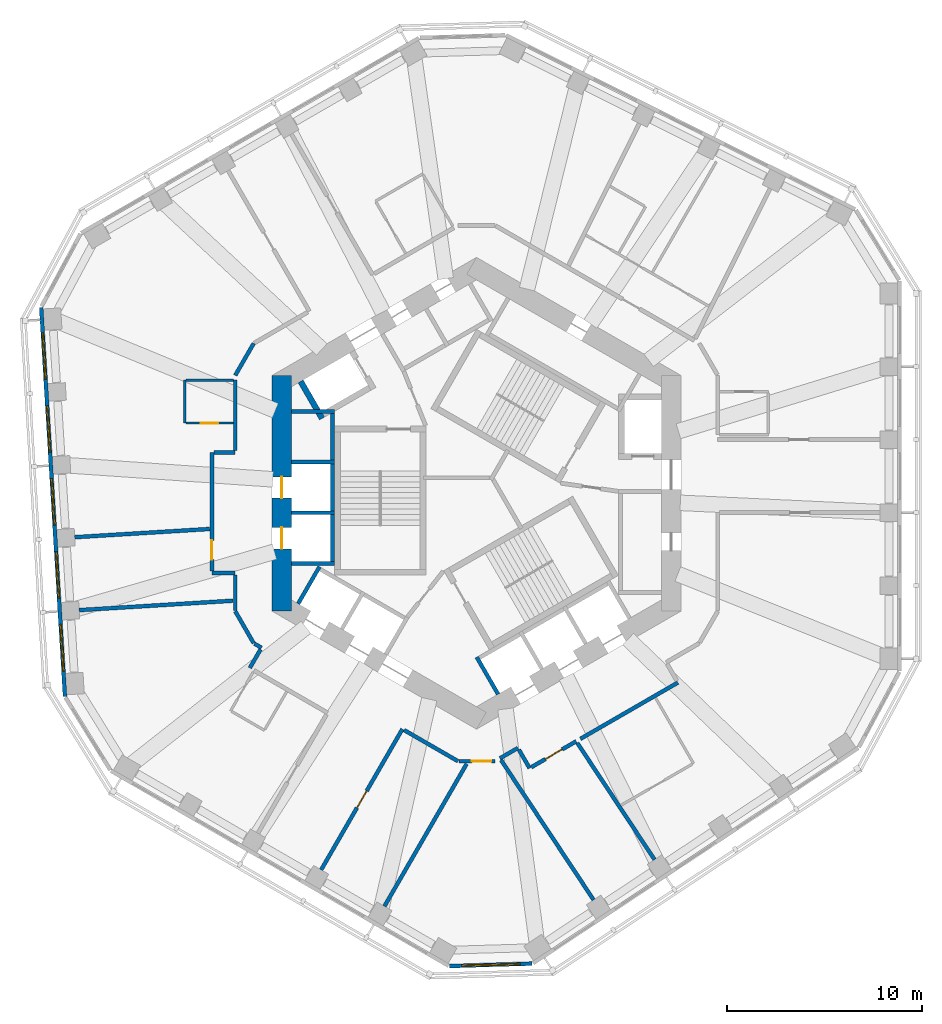
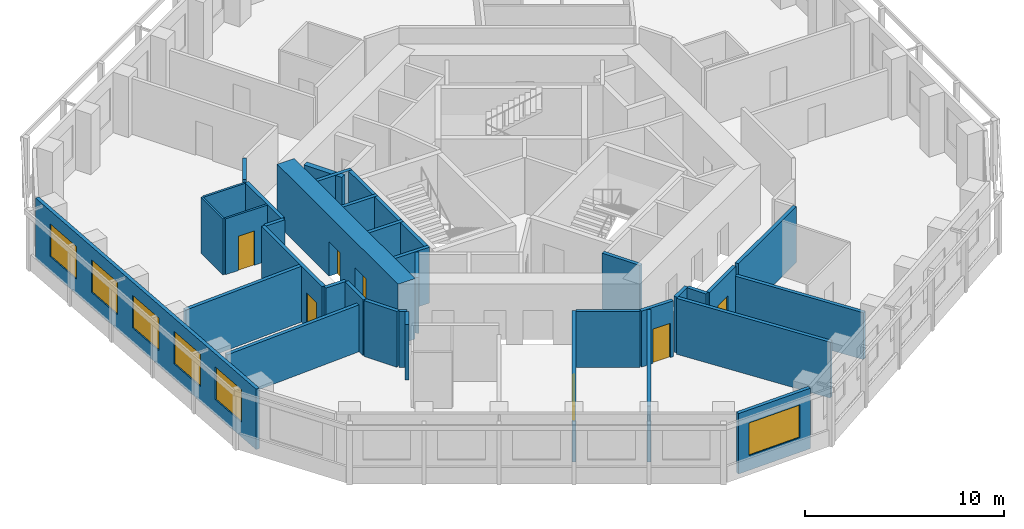
# One storey, part 4 of 11: 35 walls, 7 doors, 6 windows, 13 openings.
"""IFC4 building model written with IfcOpenShell, lengths in metres."""

import ifcopenshell
import ifcopenshell.guid

model = None  # the IFC model being written
_history = None  # IfcOwnerHistory: only IFC2X3 demands one
_inside = {}  # id of a spatial element -> (the spatial element, [elements in it])
_under = {}  # id of a project, library or spatial element -> (it, [spatial elements below it])
_declared = {}  # id of a project -> (the project, [libraries it declares])
_typed = {}  # id of a type object -> (the type object, [elements of that type])
_made_of = {}  # id of a material, layer set ... -> (it, [elements and type objects made of it])


def new_model(schema):
    """Start an empty IFC model of exactly this schema.

    Asked for "IFC4X3", IfcOpenShell would pick the latest addendum, in which some entities
    have other attributes; the version numbers below select the first issue.
    IFC2X3 requires an IfcOwnerHistory on every rooted entity: one is made here for all.
    """
    global model, _history
    if schema == "IFC4X3":
        model = ifcopenshell.file(schema_version=(4, 3, 0, 0))
    else:
        model = ifcopenshell.file(schema=schema)
    _inside.clear()
    _under.clear()
    _declared.clear()
    _typed.clear()
    _made_of.clear()
    _history = None
    if model.schema == "IFC2X3":
        org = make("IfcOrganization", Name="unknown")
        user = make(
            "IfcPersonAndOrganization",
            ThePerson=make("IfcPerson", FamilyName="unknown"),
            TheOrganization=org,
        )
        app = make(
            "IfcApplication",
            ApplicationDeveloper=org,
            Version="unknown",
            ApplicationFullName="unknown",
            ApplicationIdentifier="unknown",
        )
        _history = make(
            "IfcOwnerHistory",
            OwningUser=user,
            OwningApplication=app,
            ChangeAction="ADDED",
            CreationDate=0,
        )
    return model


def make(cls, **values):
    """One entity of the class cls with the attributes given. An attribute that is None is left unset."""
    return model.create_entity(
        cls, **{name: value for name, value in values.items() if value is not None}
    )


def rooted(cls, **values):
    """An entity with a GlobalId (a new one), such as an element, a storey or a relation."""
    return make(cls, GlobalId=ifcopenshell.guid.new(), OwnerHistory=_history, **values)


def si_unit(unit_type, name, prefix=None):
    """IfcSIUnit, for example si_unit("LENGTHUNIT", "METRE", prefix="MILLI")."""
    return make("IfcSIUnit", UnitType=unit_type, Prefix=prefix, Name=name)


def assignment(units):
    """IfcUnitAssignment: the units of a project."""
    return None if units is None else make("IfcUnitAssignment", Units=units)


def point(xyz):
    """IfcCartesianPoint."""
    return None if xyz is None else make("IfcCartesianPoint", Coordinates=xyz)


def direction(xyz):
    """IfcDirection."""
    return None if xyz is None else make("IfcDirection", DirectionRatios=xyz)


def frame(location, z_axis=None, x_axis=None):
    """IfcAxis2Placement3D, a coordinate frame: its origin and axes. An axis left out is left unset."""
    return make(
        "IfcAxis2Placement3D",
        Location=point(location),
        Axis=direction(z_axis),
        RefDirection=direction(x_axis),
    )


def frame_2d(location, x_axis=None):
    """IfcAxis2Placement2D, a coordinate frame in the plane: its origin and x axis."""
    return make(
        "IfcAxis2Placement2D", Location=point(location), RefDirection=direction(x_axis)
    )


def origin():
    """The frame at (0, 0, 0) with its axes left unset."""
    return frame((0.0, 0.0, 0.0))


def place(relative_to, where):
    """IfcLocalPlacement: puts the frame where relative to a parent placement (None: the world)."""
    return make(
        "IfcLocalPlacement", PlacementRelTo=relative_to, RelativePlacement=where
    )


def context(
    kind, dimensions, precision=None, world=None, true_north=None, identifier=None
):
    """IfcGeometricRepresentationContext, for example the 3D "Model" context."""
    return make(
        "IfcGeometricRepresentationContext",
        ContextIdentifier=identifier,
        ContextType=kind,
        CoordinateSpaceDimension=dimensions,
        Precision=precision,
        WorldCoordinateSystem=world,
        TrueNorth=true_north,
    )


def subcontext(parent, identifier, kind, view, scale=None):
    """IfcGeometricRepresentationSubContext, for example "Body" below "Model"."""
    return make(
        "IfcGeometricRepresentationSubContext",
        ContextIdentifier=identifier,
        ContextType=kind,
        ParentContext=parent,
        TargetScale=scale,
        TargetView=view,
    )


def project(units=None, contexts=None):
    """IfcProject with its units and contexts."""
    return rooted(
        "IfcProject",
        Name="project",
        RepresentationContexts=contexts,
        UnitsInContext=assignment(units),
    )


def spatial(cls, under=None, at=None, **own):
    """A site, building, storey or space (cls), placed at a placement, below another one or the project."""
    s = rooted(cls, ObjectPlacement=at, **own)
    if under is not None:
        _under.setdefault(under.id(), (under, []))[1].append(s)
    return s


def profile(cls, at=None, kind="AREA", **sizes):
    """A parametric profile (cls). Its sizes go by their IFC names, for example OverallWidth=200.0."""
    return make(cls, ProfileType=kind, Position=at, **sizes)


def rectangle(**sizes):
    """IfcRectangleProfileDef."""
    return profile("IfcRectangleProfileDef", **sizes)


def extrude(swept, where, along, depth):
    """IfcExtrudedAreaSolid: the profile swept, set in the frame where, extruded along a direction by depth."""
    return make(
        "IfcExtrudedAreaSolid",
        SweptArea=swept,
        Position=where,
        ExtrudedDirection=direction(along),
        Depth=depth,
    )


def shape(context_of_items, identifier, shape_type, items):
    """IfcShapeRepresentation: the items that make up one representation, for example the "Body"."""
    return make(
        "IfcShapeRepresentation",
        ContextOfItems=context_of_items,
        RepresentationIdentifier=identifier,
        RepresentationType=shape_type,
        Items=items,
    )


def material(Name=None, Category=None):
    """IfcMaterial."""
    return make("IfcMaterial", Name=Name, Category=Category)


def layer(
    of_material, thickness, ventilated=None, Name=None, Category=None, Priority=None
):
    """IfcMaterialLayer: one layer of a wall or slab, of a material (None: an air gap)."""
    return make(
        "IfcMaterialLayer",
        Material=of_material,
        LayerThickness=thickness,
        IsVentilated=ventilated,
        Name=Name,
        Category=Category,
        Priority=Priority,
    )


def layer_set(layers, Name=None):
    """IfcMaterialLayerSet."""
    return make("IfcMaterialLayerSet", MaterialLayers=layers, LayerSetName=Name)


def made_of(thing, what):
    """Note that an element or type object is made of a material, layer set ...; save() writes the relation."""
    if what is not None:
        _made_of.setdefault(what.id(), (what, []))[1].append(thing)
    return thing


def type_object(cls, material=None, **own):
    """A type object (cls), such as IfcWallType, which elements share."""
    return made_of(rooted(cls, **own), material)


def element(
    cls,
    number,
    at=None,
    inside=None,
    cuts=None,
    type_object=None,
    material=None,
    context=None,
    identifier="Body",
    shape_type=None,
    held_by="IfcProductDefinitionShape",
    body=None,
    shapes=None,
    **own,
):
    """One element of the class cls, such as IfcWall. Its Tag is "e" and its number.

    at: its placement. inside: the storey or other place that contains it. cuts: it is an
    opening in that element (IfcRelVoidsElement). A single representation is given by context,
    identifier, shape_type and body (its items); several are given by shapes. held_by: the class
    of the entity that holds the representations. save() writes the other relations.
    """
    e = rooted(cls, Tag="e%d" % number, ObjectPlacement=at, **own)
    if body is not None:
        shapes = [shape(context, identifier, shape_type, body)]
    if shapes is not None:
        e.Representation = make(held_by, Representations=shapes)
    if inside is not None:
        _inside.setdefault(inside.id(), (inside, []))[1].append(e)
    if cuts is not None:
        rooted(
            "IfcRelVoidsElement", RelatingBuildingElement=cuts, RelatedOpeningElement=e
        )
    if type_object is not None:
        _typed.setdefault(type_object.id(), (type_object, []))[1].append(e)
    return made_of(e, material)


def fill(opening, filler):
    """IfcRelFillsElement: the door or window that sits in an opening."""
    return rooted(
        "IfcRelFillsElement",
        RelatingOpeningElement=opening,
        RelatedBuildingElement=filler,
    )


def aggregate(whole, parts):
    """IfcRelAggregates: a whole, such as a stair, and the parts it consists of."""
    return rooted("IfcRelAggregates", RelatingObject=whole, RelatedObjects=parts)


def save(model, path):
    """Write the relations noted so far, then the file.

    IfcRelAggregates (storeys below a building ...), IfcRelContainedInSpatialStructure (elements
    in a storey), IfcRelDefinesByType, IfcRelAssociatesMaterial and IfcRelDeclares: one each for
    every whole, place, type object, material and project.
    """
    for whole, parts in _under.values():
        aggregate(whole, parts)
    for where, things in _inside.values():
        rooted(
            "IfcRelContainedInSpatialStructure",
            RelatedElements=things,
            RelatingStructure=where,
        )
    for kind, things in _typed.values():
        rooted("IfcRelDefinesByType", RelatedObjects=things, RelatingType=kind)
    for what, things in _made_of.values():
        rooted("IfcRelAssociatesMaterial", RelatedObjects=things, RelatingMaterial=what)
    for by, libraries in _declared.values():
        rooted("IfcRelDeclares", RelatingContext=by, RelatedDefinitions=libraries)
    model.write(path)


model = new_model("IFC4")

# Units and contexts
model_context = context("Model", 3, precision=1e-05, world=origin(), true_north=direction((0.0, 1.0)))
body_context = subcontext(model_context, "Body", "Model", "MODEL_VIEW")
ifc_project = project(units=[si_unit("LENGTHUNIT", "METRE"), si_unit("AREAUNIT", "SQUARE_METRE"), si_unit("VOLUMEUNIT", "CUBIC_METRE"), si_unit("PLANEANGLEUNIT", "RADIAN"), si_unit("MASSUNIT", "GRAM", prefix="KILO")], contexts=[model_context])

# Site, building, storey
site_placement = place(None, origin())
site = spatial("IfcSite", under=ifc_project, at=site_placement, CompositionType="ELEMENT")
building_placement = place(site_placement, origin())
building = spatial("IfcBuilding", under=site, at=building_placement, Name="Vanh Sen Convention Tower", CompositionType="ELEMENT")
storey_placement = place(building_placement, frame((0.0, 0.0, 179.89990234375)))
storey = spatial("IfcBuildingStorey", under=building, at=storey_placement, Name="L44", CompositionType="ELEMENT", Elevation=179.89990234375)

# Walls
ifc_material_1 = material(Name="Moisture-resistant gypsum board on steel studs", Category="steel")
ifc_layer_1 = layer(ifc_material_1, 0.1201171875)
ifc_layer_set_1 = layer_set([ifc_layer_1], Name="Moisture-resistant gypsum board on steel studs")
wall_type_1 = type_object("IfcWallType", Name="Bathroom partition 120", PredefinedType="PARTITIONING", material=ifc_layer_set_1)
wall_1_placement = place(storey_placement, frame((-15.0, 3.6123046875, 0.0), z_axis=(0.0, 0.0, 1.0), x_axis=(0.0, 1.0, 0.0)))
element("IfcWall", 1, at=wall_1_placement, inside=storey, type_object=wall_type_1, Name="Bathroom partition 120", PredefinedType="PARTITIONING", context=body_context, shape_type="SweptSolid", body=[
    extrude(rectangle(XDim=2.199951171875, YDim=0.1201171875, at=frame_2d((1.10009765625, 0.0))), origin(), (0.0, 0.0, 1.0), 3.420166015625),
])
wall_2_placement = place(storey_placement, frame((-14.93994140625, 5.812255859375, 0.0), z_axis=(0.0, 0.0, 1.0), x_axis=(1.0, 0.0, 0.0)))
element("IfcWall", 2, at=wall_2_placement, inside=storey, type_object=wall_type_1, Name="Bathroom partition 120", PredefinedType="PARTITIONING", context=body_context, shape_type="SweptSolid", body=[
    extrude(rectangle(XDim=2.43994140625, YDim=0.1201171875, at=frame_2d((1.219970703125, 0.0))), origin(), (0.0, 0.0, 1.0), 3.420166015625),
])

# Wall, opening, door
wall_3_placement = place(storey_placement, frame((-12.5, 3.6123046875, 0.0), z_axis=(0.0, 0.0, 1.0), x_axis=(-1.0, 0.0, 0.0)))
wall_3 = element("IfcWall", 3, at=wall_3_placement, inside=storey, type_object=wall_type_1, Name="Bathroom partition 120", PredefinedType="PARTITIONING", context=body_context, shape_type="SweptSolid", body=[
    extrude(rectangle(XDim=2.43994140625, YDim=0.1201171875, at=frame_2d((1.219970703125, 0.0))), origin(), (0.0, 0.0, 1.0), 3.420166015625),
])
opening_1_placement = place(wall_3_placement, frame((0.77001953125, 0.0, 0.0)))
opening_1 = element("IfcOpeningElement", 4, at=opening_1_placement, cuts=wall_3, Name="Opening D44110", PredefinedType="OPENING", context=body_context, shape_type="SweptSolid", body=[
    extrude(rectangle(XDim=0.89990234375, YDim=2.10009765625, at=frame_2d((0.449951171875, 1.050048828125))), frame((0.0, 0.070068359375, 0.0), z_axis=(0.0, -1.0, 0.0), x_axis=(1.0, 0.0, 0.0)), (0.0, 0.0, 1.0), 0.14013671875),
])
ifc_material_2 = material(Name="Laminate door in steel frame", Category="steel")
door_type_1 = type_object("IfcDoorType", Name="Room internal door 900", OperationType="SINGLE_SWING_LEFT", PredefinedType="DOOR", material=ifc_material_2)
door_1_placement = place(opening_1_placement, origin())
door_1 = element("IfcDoor", 5, at=door_1_placement, inside=storey, type_object=door_type_1, Name="Internal room door D44110", OperationType="SINGLE_SWING_LEFT", OverallHeight=2.10009765625, OverallWidth=0.89990234375, PredefinedType="DOOR", context=body_context, shape_type="SweptSolid", body=[
    extrude(rectangle(XDim=0.89990234375, YDim=2.10009765625, at=frame_2d((0.449951171875, 1.050048828125))), frame((0.0, 0.02490234375, 0.0), z_axis=(0.0, -1.0, 0.0), x_axis=(1.0, 0.0, 0.0)), (0.0, 0.0, 1.0), 0.050048828125),
])
fill(opening_1, door_1)

# Wall, openings, doors
ifc_material_3 = material(Name="Concrete C80/95", Category="concrete")
ifc_layer_2 = layer(ifc_material_3, 1.0)
ifc_layer_set_2 = layer_set([ifc_layer_2], Name="Concrete C80/95")
wall_type_2 = type_object("IfcWallType", Name="Core outer wall 1000 C80/95", PredefinedType="SHEAR", material=ifc_layer_set_2)
wall_4_placement = place(storey_placement, frame((-10.0, 6.062255859375, 0.0), z_axis=(0.0, 0.0, 1.0), x_axis=(0.0, -1.0, 0.0)))
wall_4 = element("IfcWall", 6, at=wall_4_placement, inside=storey, type_object=wall_type_2, Name="Core wall face W L44", PredefinedType="SHEAR", context=body_context, shape_type="SweptSolid", body=[
    extrude(rectangle(XDim=12.12451171875, YDim=1.0, at=frame_2d((6.062255859375, 0.0))), origin(), (0.0, 0.0, 1.0), 3.7001953125),
])
opening_2_placement = place(wall_4_placement, frame((5.212158203125, 0.0, 0.0)))
opening_2 = element("IfcOpeningElement", 7, at=opening_2_placement, cuts=wall_4, Name="Opening LD-HR1", PredefinedType="OPENING", context=body_context, shape_type="SweptSolid", body=[
    extrude(rectangle(XDim=1.10009765625, YDim=2.10009765625, at=frame_2d((0.550048828125, 1.050048828125))), frame((0.0, 0.510009765625, 0.0), z_axis=(0.0, -1.0, 0.0), x_axis=(1.0, 0.0, 0.0)), (0.0, 0.0, 1.0), 1.02001953125),
])
opening_3_placement = place(wall_4_placement, frame((7.812255859375, 0.0, 0.0)))
opening_3 = element("IfcOpeningElement", 8, at=opening_3_placement, cuts=wall_4, Name="Opening LD-HR2", PredefinedType="OPENING", context=body_context, shape_type="SweptSolid", body=[
    extrude(rectangle(XDim=1.10009765625, YDim=2.10009765625, at=frame_2d((0.550048828125, 1.050048828125))), frame((0.0, 0.510009765625, 0.0), z_axis=(0.0, -1.0, 0.0), x_axis=(1.0, 0.0, 0.0)), (0.0, 0.0, 1.0), 1.02001953125),
])
ifc_material_4 = material(Name="Stainless steel", Category="steel")
door_type_2 = type_object("IfcDoorType", Name="Lift landing door 1100", OperationType="DOUBLE_DOOR_SLIDING", PredefinedType="DOOR", material=ifc_material_4)
door_2_placement = place(opening_2_placement, origin())
door_2 = element("IfcDoor", 9, at=door_2_placement, inside=storey, type_object=door_type_2, Name="Lift HR1 landing door LD-HR1", OperationType="DOUBLE_DOOR_SLIDING", OverallHeight=2.10009765625, OverallWidth=1.10009765625, PredefinedType="DOOR", context=body_context, shape_type="SweptSolid", body=[
    extrude(rectangle(XDim=1.10009765625, YDim=2.10009765625, at=frame_2d((0.550048828125, 1.050048828125))), frame((0.0, 0.02490234375, 0.0), z_axis=(0.0, -1.0, 0.0), x_axis=(1.0, 0.0, 0.0)), (0.0, 0.0, 1.0), 0.050048828125),
])
fill(opening_2, door_2)
door_3_placement = place(opening_3_placement, origin())
door_3 = element("IfcDoor", 10, at=door_3_placement, inside=storey, type_object=door_type_2, Name="Lift HR2 landing door LD-HR2", OperationType="DOUBLE_DOOR_SLIDING", OverallHeight=2.10009765625, OverallWidth=1.10009765625, PredefinedType="DOOR", context=body_context, shape_type="SweptSolid", body=[
    extrude(rectangle(XDim=1.10009765625, YDim=2.10009765625, at=frame_2d((0.550048828125, 1.050048828125))), frame((0.0, 0.02490234375, 0.0), z_axis=(0.0, -1.0, 0.0), x_axis=(1.0, 0.0, 0.0)), (0.0, 0.0, 1.0), 0.050048828125),
])
fill(opening_3, door_3)

# Wall
ifc_material_5 = material(Name="Gypsum board on steel studs with mineral wool", Category="steel")
ifc_layer_3 = layer(ifc_material_5, 0.199951171875)
ifc_layer_set_3 = layer_set([ifc_layer_3], Name="Gypsum board on steel studs with mineral wool")
wall_type_3 = type_object("IfcWallType", Name="Corridor partition wall 200", PredefinedType="PARTITIONING", material=ifc_layer_set_3)
wall_5_placement = place(storey_placement, frame((-13.60107421875, -4.10107421875, 0.0), z_axis=(0.0, 0.0, 1.0), x_axis=(1.0, 0.0, 0.0)))
element("IfcWall", 11, at=wall_5_placement, inside=storey, type_object=wall_type_3, Name="Corridor partition wall 200", PredefinedType="PARTITIONING", context=body_context, shape_type="SweptSolid", body=[
    extrude(rectangle(XDim=1.201171875, YDim=0.199951171875, at=frame_2d((0.6005859375, 0.0))), origin(), (0.0, 0.0, 1.0), 3.420166015625),
])

# Wall, opening, door
wall_6_placement = place(storey_placement, frame((-13.60107421875, 2.10107421875, 0.0), z_axis=(0.0, 0.0, 1.0), x_axis=(0.0, -1.0, 0.0)))
wall_6 = element("IfcWall", 12, at=wall_6_placement, inside=storey, type_object=wall_type_3, Name="Corridor partition wall 200", PredefinedType="PARTITIONING", context=body_context, shape_type="SweptSolid", body=[
    extrude(rectangle(XDim=6.10205078125, YDim=0.199951171875, at=frame_2d((3.051025390625, 0.0))), origin(), (0.0, 0.0, 1.0), 3.420166015625),
])
opening_4_placement = place(wall_6_placement, frame((4.514892578125, 0.0, 0.0)))
opening_4 = element("IfcOpeningElement", 13, at=opening_4_placement, cuts=wall_6, Name="Opening D44111", PredefinedType="OPENING", context=body_context, shape_type="SweptSolid", body=[
    extrude(rectangle(XDim=1.0, YDim=2.10009765625, at=frame_2d((0.5, 1.050048828125))), frame((0.0, 0.10986328125, 0.0), z_axis=(0.0, -1.0, 0.0), x_axis=(1.0, 0.0, 0.0)), (0.0, 0.0, 1.0), 0.219970703125),
])
ifc_material_6 = material(Name="Glazed fire door in steel frame", Category="steel")
door_type_3 = type_object("IfcDoorType", Name="Tenant entrance door 1000", OperationType="SINGLE_SWING_LEFT", PredefinedType="DOOR", material=ifc_material_6)
door_4_placement = place(opening_4_placement, origin())
door_4 = element("IfcDoor", 14, at=door_4_placement, inside=storey, type_object=door_type_3, Name="Tenant suite entrance door D44111", OperationType="SINGLE_SWING_LEFT", OverallHeight=2.10009765625, OverallWidth=1.0, PredefinedType="DOOR", context=body_context, shape_type="SweptSolid", body=[
    extrude(rectangle(XDim=1.0, YDim=2.10009765625, at=frame_2d((0.5, 1.050048828125))), frame((0.0, 0.02490234375, 0.0), z_axis=(0.0, -1.0, 0.0), x_axis=(1.0, 0.0, 0.0)), (0.0, 0.0, 1.0), 0.050048828125),
])
fill(opening_4, door_4)

# Walls
wall_7_placement = place(storey_placement, frame((-12.39990234375, -6.062255859375, 0.0), z_axis=(0.0, 0.0, 1.0), x_axis=(0.500022797313, -0.86601224135, 0.0)))
element("IfcWall", 15, at=wall_7_placement, inside=storey, type_object=wall_type_3, Name="Corridor partition wall 200", PredefinedType="PARTITIONING", context=body_context, shape_type="SweptSolid", body=[
    extrude(rectangle(XDim=1.89990234375, YDim=0.199951171875, at=frame_2d((0.949951171875, 0.0))), origin(), (0.0, 0.0, 1.0), 3.420166015625),
])
wall_8_placement = place(storey_placement, frame((-12.39990234375, -4.200927734375, 0.0), z_axis=(0.0, 0.0, 1.0), x_axis=(0.0, -1.0, 0.0)))
element("IfcWall", 16, at=wall_8_placement, inside=storey, type_object=wall_type_3, Name="Corridor partition wall 200", PredefinedType="PARTITIONING", context=body_context, shape_type="SweptSolid", body=[
    extrude(rectangle(XDim=1.8212890625, YDim=0.199951171875, at=frame_2d((0.91064453125, 0.0))), origin(), (0.0, 0.0, 1.0), 3.420166015625),
])
wall_9_placement = place(storey_placement, frame((-12.39990234375, 2.10107421875, 0.0), z_axis=(0.0, 0.0, 1.0), x_axis=(-1.0, 0.0, 0.0)))
element("IfcWall", 17, at=wall_9_placement, inside=storey, type_object=wall_type_3, Name="Corridor partition wall 200", PredefinedType="PARTITIONING", context=body_context, shape_type="SweptSolid", body=[
    extrude(rectangle(XDim=1.10107421875, YDim=0.199951171875, at=frame_2d((0.550537109375, 0.0))), origin(), (0.0, 0.0, 1.0), 3.420166015625),
])
wall_10_placement = place(storey_placement, frame((-12.39990234375, 5.812255859375, 0.0), z_axis=(0.0, 0.0, 1.0), x_axis=(0.0, -1.0, 0.0)))
element("IfcWall", 18, at=wall_10_placement, inside=storey, type_object=wall_type_3, Name="Corridor partition wall 200", PredefinedType="PARTITIONING", context=body_context, shape_type="SweptSolid", body=[
    extrude(rectangle(XDim=3.611328125, YDim=0.199951171875, at=frame_2d((1.8056640625, 0.0))), origin(), (0.0, 0.0, 1.0), 3.420166015625),
])
wall_11_placement = place(storey_placement, frame((-11.449951171875, 7.70751953125, 0.0), z_axis=(0.0, 0.0, 1.0), x_axis=(-0.500022797313, -0.86601224135, 0.0)))
element("IfcWall", 19, at=wall_11_placement, inside=storey, type_object=wall_type_3, Name="Corridor partition wall 200", PredefinedType="PARTITIONING", context=body_context, shape_type="SweptSolid", body=[
    extrude(rectangle(XDim=1.89990234375, YDim=0.199951171875, at=frame_2d((0.949951171875, 0.0))), origin(), (0.0, 0.0, 1.0), 3.420166015625),
])
wall_12_placement = place(storey_placement, frame((-11.415283203125, -7.7275390625, 0.0), z_axis=(0.0, 0.0, 1.0), x_axis=(0.865915281873, -0.500190688257, 0.0)))
element("IfcWall", 20, at=wall_12_placement, inside=storey, type_object=wall_type_3, Name="Corridor partition wall 200", PredefinedType="PARTITIONING", context=body_context, shape_type="SweptSolid", body=[
    extrude(rectangle(XDim=0.421142578125, YDim=0.199951171875, at=frame_2d((0.21044921875, 0.0))), origin(), (0.0, 0.0, 1.0), 3.420166015625),
])
wall_13_placement = place(storey_placement, frame((-11.1005859375, -8.02490234375, 0.0), z_axis=(0.0, 0.0, 1.0), x_axis=(-0.500074377092, -0.865982457891, 0.0)))
element("IfcWall", 21, at=wall_13_placement, inside=storey, type_object=wall_type_3, Name="Corridor partition wall 200", PredefinedType="PARTITIONING", context=body_context, shape_type="SweptSolid", body=[
    extrude(rectangle(XDim=1.100830078125, YDim=0.199951171875, at=frame_2d((0.55029296875, 0.0))), origin(), (0.0, 0.0, 1.0), 3.420166015625),
])

# Wall, opening, door
wall_14_placement = place(storey_placement, frame((-7.983642578125, -19.3505859375, 0.0), z_axis=(0.0, 0.0, 1.0), x_axis=(0.500010139422, 0.866019549707, 0.0)))
wall_14 = element("IfcWall", 22, at=wall_14_placement, inside=storey, type_object=wall_type_3, Name="Corridor partition wall 200", PredefinedType="PARTITIONING", context=body_context, shape_type="SweptSolid", body=[
    extrude(rectangle(XDim=8.349853515625, YDim=0.199951171875, at=frame_2d((4.1748046875, 0.0))), origin(), (0.0, 0.0, 1.0), 3.420166015625),
])
opening_5_placement = place(wall_14_placement, frame((3.675048828125, 0.0, 0.0)))
opening_5 = element("IfcOpeningElement", 23, at=opening_5_placement, cuts=wall_14, Name="Opening D44114", PredefinedType="OPENING", context=body_context, shape_type="SweptSolid", body=[
    extrude(rectangle(XDim=1.0, YDim=2.10009765625, at=frame_2d((0.5, 1.050048828125))), frame((0.0, 0.10986328125, 0.0), z_axis=(0.0, -1.0, 0.0), x_axis=(1.0, 0.0, 0.0)), (0.0, 0.0, 1.0), 0.219970703125),
])
door_5_placement = place(opening_5_placement, origin())
door_5 = element("IfcDoor", 24, at=door_5_placement, inside=storey, type_object=door_type_3, Name="Tenant suite entrance door D44114", OperationType="SINGLE_SWING_LEFT", OverallHeight=2.10009765625, OverallWidth=1.0, PredefinedType="DOOR", context=body_context, shape_type="SweptSolid", body=[
    extrude(rectangle(XDim=1.0, YDim=2.10009765625, at=frame_2d((0.5, 1.050048828125))), frame((0.0, 0.02490234375, 0.0), z_axis=(0.0, -1.0, 0.0), x_axis=(1.0, 0.0, 0.0)), (0.0, 0.0, 1.0), 0.050048828125),
])
fill(opening_5, door_5)

# Wall
wall_15_placement = place(storey_placement, frame((-3.721923828125, -12.16943359375, 0.0), z_axis=(0.0, 0.0, 1.0), x_axis=(0.866033163891, -0.499986558861, 0.0)))
element("IfcWall", 25, at=wall_15_placement, inside=storey, type_object=wall_type_3, Name="Corridor partition wall 200", PredefinedType="PARTITIONING", context=body_context, shape_type="SweptSolid", body=[
    extrude(rectangle(XDim=3.20068359375, YDim=0.199951171875, at=frame_2d((1.600341796875, 0.0))), origin(), (0.0, 0.0, 1.0), 3.420166015625),
])

# Wall, opening, door
wall_16_placement = place(storey_placement, frame((-0.909912109375, -13.769775390625, 0.0), z_axis=(0.0, 0.0, 1.0), x_axis=(1.0, 0.0, 0.0)))
wall_16 = element("IfcWall", 26, at=wall_16_placement, inside=storey, type_object=wall_type_3, Name="Corridor partition wall 200", PredefinedType="PARTITIONING", context=body_context, shape_type="SweptSolid", body=[
    extrude(rectangle(XDim=1.85986328125, YDim=0.199951171875, at=frame_2d((0.929931640625, 0.0))), origin(), (0.0, 0.0, 1.0), 3.420166015625),
])
opening_6_placement = place(wall_16_placement, frame((0.671630859375, 0.0, 0.0)))
opening_6 = element("IfcOpeningElement", 27, at=opening_6_placement, cuts=wall_16, Name="Opening D44115", PredefinedType="OPENING", context=body_context, shape_type="SweptSolid", body=[
    extrude(rectangle(XDim=1.0, YDim=2.10009765625, at=frame_2d((0.5, 1.050048828125))), frame((0.0, 0.10986328125, 0.0), z_axis=(0.0, -1.0, 0.0), x_axis=(1.0, 0.0, 0.0)), (0.0, 0.0, 1.0), 0.219970703125),
])
door_6_placement = place(opening_6_placement, origin())
door_6 = element("IfcDoor", 28, at=door_6_placement, inside=storey, type_object=door_type_3, Name="Tenant suite entrance door D44115", OperationType="SINGLE_SWING_LEFT", OverallHeight=2.10009765625, OverallWidth=1.0, PredefinedType="DOOR", context=body_context, shape_type="SweptSolid", body=[
    extrude(rectangle(XDim=1.0, YDim=2.10009765625, at=frame_2d((0.5, 1.050048828125))), frame((0.0, 0.02490234375, 0.0), z_axis=(0.0, -1.0, 0.0), x_axis=(1.0, 0.0, 0.0)), (0.0, 0.0, 1.0), 0.050048828125),
])
fill(opening_6, door_6)

# Walls
wall_17_placement = place(storey_placement, frame((1.20361328125, -13.623291015625, 0.0), z_axis=(0.0, 0.0, 1.0), x_axis=(0.866040989419, 0.499973003918, 0.0)))
element("IfcWall", 29, at=wall_17_placement, inside=storey, type_object=wall_type_3, Name="Corridor partition wall 200", PredefinedType="PARTITIONING", context=body_context, shape_type="SweptSolid", body=[
    extrude(rectangle(XDim=1.068359375, YDim=0.199951171875, at=frame_2d((0.5341796875, 0.0))), origin(), (0.0, 0.0, 1.0), 3.420166015625),
])
wall_18_placement = place(storey_placement, frame((2.1787109375, -13.17578125, 0.0), z_axis=(0.0, 0.0, 1.0), x_axis=(0.499978356969, -0.866037899034, 0.0)))
element("IfcWall", 30, at=wall_18_placement, inside=storey, type_object=wall_type_3, Name="Corridor partition wall 200", PredefinedType="PARTITIONING", context=body_context, shape_type="SweptSolid", body=[
    extrude(rectangle(XDim=1.10107421875, YDim=0.199951171875, at=frame_2d((0.550537109375, 0.0))), origin(), (0.0, 0.0, 1.0), 3.420166015625),
])

# Wall, opening, door
wall_19_placement = place(storey_placement, frame((2.81591796875, -14.079345703125, 0.0), z_axis=(0.0, 0.0, 1.0), x_axis=(0.866008705299, 0.50002892151, 0.0)))
wall_19 = element("IfcWall", 31, at=wall_19_placement, inside=storey, type_object=wall_type_3, Name="Corridor partition wall 200", PredefinedType="PARTITIONING", context=body_context, shape_type="SweptSolid", body=[
    extrude(rectangle(XDim=2.666259765625, YDim=0.199951171875, at=frame_2d((1.3330078125, 0.0))), origin(), (0.0, 0.0, 1.0), 3.420166015625),
])
opening_7_placement = place(wall_19_placement, frame((0.833251953125, 0.0, 0.0)))
opening_7 = element("IfcOpeningElement", 32, at=opening_7_placement, cuts=wall_19, Name="Opening D44116", PredefinedType="OPENING", context=body_context, shape_type="SweptSolid", body=[
    extrude(rectangle(XDim=1.0, YDim=2.10009765625, at=frame_2d((0.5, 1.050048828125))), frame((0.0, 0.10986328125, 0.0), z_axis=(0.0, -1.0, 0.0), x_axis=(1.0, 0.0, 0.0)), (0.0, 0.0, 1.0), 0.219970703125),
])
door_7_placement = place(opening_7_placement, origin())
door_7 = element("IfcDoor", 33, at=door_7_placement, inside=storey, type_object=door_type_3, Name="Tenant suite entrance door D44116", OperationType="SINGLE_SWING_LEFT", OverallHeight=2.10009765625, OverallWidth=1.0, PredefinedType="DOOR", context=body_context, shape_type="SweptSolid", body=[
    extrude(rectangle(XDim=1.0, YDim=2.10009765625, at=frame_2d((0.5, 1.050048828125))), frame((0.0, 0.02490234375, 0.0), z_axis=(0.0, -1.0, 0.0), x_axis=(1.0, 0.0, 0.0)), (0.0, 0.0, 1.0), 0.050048828125),
])
fill(opening_7, door_7)

# Wall
wall_20_placement = place(storey_placement, frame((5.341552734375, -12.62109375, 0.0), z_axis=(0.0, 0.0, 1.0), x_axis=(0.866024665123, 0.500001279396, 0.0)))
element("IfcWall", 34, at=wall_20_placement, inside=storey, type_object=wall_type_3, Name="Corridor partition wall 200", PredefinedType="PARTITIONING", context=body_context, shape_type="SweptSolid", body=[
    extrude(rectangle(XDim=5.78564453125, YDim=0.199951171875, at=frame_2d((2.892822265625, 0.0))), origin(), (0.0, 0.0, 1.0), 3.420166015625),
])

# Wall, openings, windows
ifc_material_7 = material(Name="Insulated lightweight infill wall")
ifc_layer_4 = layer(ifc_material_7, 0.199951171875)
ifc_layer_set_4 = layer_set([ifc_layer_4], Name="Insulated lightweight infill wall")
wall_type_4 = type_object("IfcWallType", Name="External wall 200", PredefinedType="STANDARD", material=ifc_layer_set_4)
wall_21_placement = place(storey_placement, frame((-22.375, 9.55712890625, 0.0), z_axis=(0.0, 0.0, 1.0), x_axis=(0.061036015339, -0.998135564356, 0.0)))
wall_21 = element("IfcWall", 35, at=wall_21_placement, inside=storey, type_object=wall_type_4, Name="External wall W L44", PredefinedType="STANDARD", context=body_context, shape_type="SweptSolid", body=[
    extrude(rectangle(XDim=20.043701171875, YDim=0.199951171875, at=frame_2d((10.02197265625, 0.0))), origin(), (0.0, 0.0, 1.0), 3.7001953125),
])
opening_8_placement = place(wall_21_placement, frame((1.312744140625, 0.0, 0.89990234375)))
opening_8 = element("IfcOpeningElement", 36, at=opening_8_placement, cuts=wall_21, Name="Opening WO1-W1", PredefinedType="OPENING", context=body_context, shape_type="SweptSolid", body=[
    extrude(rectangle(XDim=2.39990234375, YDim=2.0, at=frame_2d((1.199951171875, 1.0))), frame((0.0, 0.10986328125, 0.0), z_axis=(0.0, -1.0, 0.0), x_axis=(1.0, 0.0, 0.0)), (0.0, 0.0, 1.0), 0.219970703125),
])
opening_9_placement = place(wall_21_placement, frame((5.06689453125, 0.0, 0.89990234375)))
opening_9 = element("IfcOpeningElement", 37, at=opening_9_placement, cuts=wall_21, Name="Opening WO1-W2", PredefinedType="OPENING", context=body_context, shape_type="SweptSolid", body=[
    extrude(rectangle(XDim=2.39990234375, YDim=2.0, at=frame_2d((1.199951171875, 1.0))), frame((0.0, 0.10986328125, 0.0), z_axis=(0.0, -1.0, 0.0), x_axis=(1.0, 0.0, 0.0)), (0.0, 0.0, 1.0), 0.219970703125),
])
opening_10_placement = place(wall_21_placement, frame((8.821044921875, 0.0, 0.89990234375)))
opening_10 = element("IfcOpeningElement", 38, at=opening_10_placement, cuts=wall_21, Name="Opening WO1-W3", PredefinedType="OPENING", context=body_context, shape_type="SweptSolid", body=[
    extrude(rectangle(XDim=2.39990234375, YDim=2.0, at=frame_2d((1.199951171875, 1.0))), frame((0.0, 0.10986328125, 0.0), z_axis=(0.0, -1.0, 0.0), x_axis=(1.0, 0.0, 0.0)), (0.0, 0.0, 1.0), 0.219970703125),
])
opening_11_placement = place(wall_21_placement, frame((12.5751953125, 0.0, 0.89990234375)))
opening_11 = element("IfcOpeningElement", 39, at=opening_11_placement, cuts=wall_21, Name="Opening WO1-W4", PredefinedType="OPENING", context=body_context, shape_type="SweptSolid", body=[
    extrude(rectangle(XDim=2.39990234375, YDim=2.0, at=frame_2d((1.199951171875, 1.0))), frame((0.0, 0.10986328125, 0.0), z_axis=(0.0, -1.0, 0.0), x_axis=(1.0, 0.0, 0.0)), (0.0, 0.0, 1.0), 0.219970703125),
])
opening_12_placement = place(wall_21_placement, frame((16.329345703125, 0.0, 0.89990234375)))
opening_12 = element("IfcOpeningElement", 40, at=opening_12_placement, cuts=wall_21, Name="Opening WO1-W5", PredefinedType="OPENING", context=body_context, shape_type="SweptSolid", body=[
    extrude(rectangle(XDim=2.39990234375, YDim=2.0, at=frame_2d((1.199951171875, 1.0))), frame((0.0, 0.10986328125, 0.0), z_axis=(0.0, -1.0, 0.0), x_axis=(1.0, 0.0, 0.0)), (0.0, 0.0, 1.0), 0.219970703125),
])
ifc_material_8 = material(Name="Aluminium frame with clear low-emissivity glass", Category="aluminium")
window_type_1 = type_object("IfcWindowType", Name="Office window 2400 x 2000", PartitioningType="SINGLE_PANEL", PredefinedType="WINDOW", material=ifc_material_8)
window_1_placement = place(opening_8_placement, origin())
window_1 = element("IfcWindow", 41, at=window_1_placement, inside=storey, type_object=window_type_1, Name="Window WO1-W1", OverallHeight=2.0, OverallWidth=2.39990234375, PartitioningType="SINGLE_PANEL", PredefinedType="WINDOW", context=body_context, shape_type="SweptSolid", body=[
    extrude(rectangle(XDim=2.39990234375, YDim=2.0, at=frame_2d((1.199951171875, 1.0))), frame((0.0, 0.030029296875, 0.0), z_axis=(0.0, -1.0, 0.0), x_axis=(1.0, 0.0, 0.0)), (0.0, 0.0, 1.0), 0.06005859375),
])
fill(opening_8, window_1)
window_2_placement = place(opening_9_placement, origin())
window_2 = element("IfcWindow", 42, at=window_2_placement, inside=storey, type_object=window_type_1, Name="Window WO1-W2", OverallHeight=2.0, OverallWidth=2.39990234375, PartitioningType="SINGLE_PANEL", PredefinedType="WINDOW", context=body_context, shape_type="SweptSolid", body=[
    extrude(rectangle(XDim=2.39990234375, YDim=2.0, at=frame_2d((1.199951171875, 1.0))), frame((0.0, 0.030029296875, 0.0), z_axis=(0.0, -1.0, 0.0), x_axis=(1.0, 0.0, 0.0)), (0.0, 0.0, 1.0), 0.06005859375),
])
fill(opening_9, window_2)
window_3_placement = place(opening_10_placement, origin())
window_3 = element("IfcWindow", 43, at=window_3_placement, inside=storey, type_object=window_type_1, Name="Window WO1-W3", OverallHeight=2.0, OverallWidth=2.39990234375, PartitioningType="SINGLE_PANEL", PredefinedType="WINDOW", context=body_context, shape_type="SweptSolid", body=[
    extrude(rectangle(XDim=2.39990234375, YDim=2.0, at=frame_2d((1.199951171875, 1.0))), frame((0.0, 0.030029296875, 0.0), z_axis=(0.0, -1.0, 0.0), x_axis=(1.0, 0.0, 0.0)), (0.0, 0.0, 1.0), 0.06005859375),
])
fill(opening_10, window_3)
window_4_placement = place(opening_11_placement, origin())
window_4 = element("IfcWindow", 44, at=window_4_placement, inside=storey, type_object=window_type_1, Name="Window WO1-W4", OverallHeight=2.0, OverallWidth=2.39990234375, PartitioningType="SINGLE_PANEL", PredefinedType="WINDOW", context=body_context, shape_type="SweptSolid", body=[
    extrude(rectangle(XDim=2.39990234375, YDim=2.0, at=frame_2d((1.199951171875, 1.0))), frame((0.0, 0.030029296875, 0.0), z_axis=(0.0, -1.0, 0.0), x_axis=(1.0, 0.0, 0.0)), (0.0, 0.0, 1.0), 0.06005859375),
])
fill(opening_11, window_4)
window_5_placement = place(opening_12_placement, origin())
window_5 = element("IfcWindow", 45, at=window_5_placement, inside=storey, type_object=window_type_1, Name="Window WO1-W5", OverallHeight=2.0, OverallWidth=2.39990234375, PartitioningType="SINGLE_PANEL", PredefinedType="WINDOW", context=body_context, shape_type="SweptSolid", body=[
    extrude(rectangle(XDim=2.39990234375, YDim=2.0, at=frame_2d((1.199951171875, 1.0))), frame((0.0, 0.030029296875, 0.0), z_axis=(0.0, -1.0, 0.0), x_axis=(1.0, 0.0, 0.0)), (0.0, 0.0, 1.0), 0.06005859375),
])
fill(opening_12, window_5)

# Wall, opening, window
wall_22_placement = place(storey_placement, frame((-1.377685546875, -24.302001953125, 0.0), z_axis=(0.0, 0.0, 1.0), x_axis=(0.999533857267, 0.030529791629, 0.0)))
wall_22 = element("IfcWall", 46, at=wall_22_placement, inside=storey, type_object=wall_type_4, Name="External wall CH5 L44", PredefinedType="STANDARD", context=body_context, shape_type="SweptSolid", body=[
    extrude(rectangle(XDim=4.23828125, YDim=0.199951171875, at=frame_2d((2.119140625, 0.0))), origin(), (0.0, 0.0, 1.0), 3.7001953125),
])
opening_13_placement = place(wall_22_placement, frame((0.619140625, 0.0, 0.89990234375)))
opening_13 = element("IfcOpeningElement", 47, at=opening_13_placement, cuts=wall_22, Name="Opening WO2-CH51", PredefinedType="OPENING", context=body_context, shape_type="SweptSolid", body=[
    extrude(rectangle(XDim=3.0, YDim=2.0, at=frame_2d((1.5, 1.0))), frame((0.0, 0.10986328125, 0.0), z_axis=(0.0, -1.0, 0.0), x_axis=(1.0, 0.0, 0.0)), (0.0, 0.0, 1.0), 0.219970703125),
])
window_type_2 = type_object("IfcWindowType", Name="Office window 3000 x 2000", PartitioningType="SINGLE_PANEL", PredefinedType="WINDOW", material=ifc_material_8)
window_6_placement = place(opening_13_placement, origin())
window_6 = element("IfcWindow", 48, at=window_6_placement, inside=storey, type_object=window_type_2, Name="Window WO2-CH51", OverallHeight=2.0, OverallWidth=3.0, PartitioningType="SINGLE_PANEL", PredefinedType="WINDOW", context=body_context, shape_type="SweptSolid", body=[
    extrude(rectangle(XDim=3.0, YDim=2.0, at=frame_2d((1.5, 1.0))), frame((0.0, 0.030029296875, 0.0), z_axis=(0.0, -1.0, 0.0), x_axis=(1.0, 0.0, 0.0)), (0.0, 0.0, 1.0), 0.06005859375),
])
fill(opening_13, window_6)

# Walls
ifc_material_9 = material(Name="Concrete C60/75", Category="concrete")
ifc_layer_5 = layer(ifc_material_9, 0.300048828125)
ifc_layer_set_5 = layer_set([ifc_layer_5], Name="Concrete C60/75")
wall_type_5 = type_object("IfcWallType", Name="Fire-fighting lift shaft wall 300", PredefinedType="SHEAR", material=ifc_layer_set_5)
wall_23_placement = place(storey_placement, frame((-7.936767578125, 3.846923828125, 0.0), z_axis=(0.0, 0.0, 1.0), x_axis=(-0.50002983664, 0.866008176907, 0.0)))
element("IfcWall", 49, at=wall_23_placement, inside=storey, type_object=wall_type_5, Name="Fire-fighting lift shaft wall L44", PredefinedType="SHEAR", context=body_context, shape_type="SweptSolid", body=[
    extrude(rectangle(XDim=2.199951171875, YDim=0.300048828125, at=frame_2d((1.10009765625, 0.0))), origin(), (0.0, 0.0, 1.0), 3.420166015625),
])
ifc_material_10 = material(Name="Concrete C40/50", Category="concrete")
ifc_layer_6 = layer(ifc_material_10, 0.199951171875)
ifc_layer_set_6 = layer_set([ifc_layer_6], Name="Concrete C40/50")
wall_type_6 = type_object("IfcWallType", Name="Lift shaft wall 200", PredefinedType="PARTITIONING", material=ifc_layer_set_6)
wall_24_placement = place(storey_placement, frame((-7.39990234375, 4.300048828125, 0.0), z_axis=(0.0, 0.0, 1.0), x_axis=(0.0, -1.0, 0.0)))
element("IfcWall", 50, at=wall_24_placement, inside=storey, type_object=wall_type_6, Name="Lift shaft wall L44", PredefinedType="PARTITIONING", context=body_context, shape_type="SweptSolid", body=[
    extrude(rectangle(XDim=8.0, YDim=0.199951171875, at=frame_2d((4.0, 0.0))), origin(), (0.0, 0.0, 1.0), 3.420166015625),
])
for number, where, z_axis, x_axis, name in (
    (51, (-7.300048828125, 4.199951171875, 0.0), (0.0, 0.0, 1.0), (-1.0, 0.0, 0.0), "Lift shaft wall L44"),
    (52, (-7.300048828125, 1.60009765625, 0.0), (0.0, 0.0, 1.0), (-1.0, 0.0, 0.0), "Lift shaft wall L44"),
    (53, (-7.300048828125, -1.0, 0.0), (0.0, 0.0, 1.0), (-1.0, 0.0, 0.0), "Lift shaft wall L44"),
    (54, (-7.300048828125, -3.60009765625, 0.0), (0.0, 0.0, 1.0), (-1.0, 0.0, 0.0), "Lift shaft wall L44"),
    (55, (-8.066650390625, -3.77197265625, 0.0), (0.0, 0.0, 1.0), (-0.50002983664, -0.866008176907, 0.0), "Lift shaft wall L44"),
    (56, (0.0126953125, -8.422119140625, 0.0), (0.0, 0.0, 1.0), (0.500077893725, -0.86598042715, 0.0), "Lift shaft wall L44"),
):
    element("IfcWall", number, at=place(storey_placement, frame(where, z_axis=z_axis, x_axis=x_axis)), inside=storey, type_object=wall_type_6, Name=name, PredefinedType="PARTITIONING", context=body_context, shape_type="SweptSolid", body=[
        extrude(rectangle(XDim=2.199951171875, YDim=0.199951171875, at=frame_2d((1.10009765625, 0.0))), origin(), (0.0, 0.0, 1.0), 3.420166015625),
    ])
ifc_layer_7 = layer(ifc_material_5, 0.199951171875)
ifc_layer_set_7 = layer_set([ifc_layer_7], Name="Gypsum board on steel studs with mineral wool")
wall_type_7 = type_object("IfcWallType", Name="Tenant suite wall 200", PredefinedType="PARTITIONING", material=ifc_layer_set_7)
wall_25_placement = place(storey_placement, frame((-20.650634765625, -2.2578125, 0.0), z_axis=(0.0, 0.0, 1.0), x_axis=(0.998133960965, 0.061062230286, 0.0)))
element("IfcWall", 57, at=wall_25_placement, inside=storey, type_object=wall_type_7, Name="Tenant suite wall 200", PredefinedType="PARTITIONING", context=body_context, shape_type="SweptSolid", body=[
    extrude(rectangle(XDim=6.952880859375, YDim=0.199951171875, at=frame_2d((3.4765625, 0.0))), origin(), (0.0, 0.0, 1.0), 3.420166015625),
])
wall_26_placement = place(storey_placement, frame((-20.42138671875, -6.0048828125, 0.0), z_axis=(0.0, 0.0, 1.0), x_axis=(0.998134865741, 0.061047438866, 0.0)))
element("IfcWall", 58, at=wall_26_placement, inside=storey, type_object=wall_type_7, Name="Tenant suite wall 200", PredefinedType="PARTITIONING", context=body_context, shape_type="SweptSolid", body=[
    extrude(rectangle(XDim=7.926513671875, YDim=0.199951171875, at=frame_2d((3.96337890625, 0.0))), origin(), (0.0, 0.0, 1.0), 2.8701171875),
])
wall_27_placement = place(storey_placement, frame((-4.732421875, -21.227783203125, 0.0), z_axis=(0.0, 0.0, 1.0), x_axis=(0.500000843414, 0.866024916838, 0.0)))
element("IfcWall", 59, at=wall_27_placement, inside=storey, type_object=wall_type_7, Name="Tenant suite wall 200", PredefinedType="PARTITIONING", context=body_context, shape_type="SweptSolid", body=[
    extrude(rectangle(XDim=8.45166015625, YDim=0.199951171875, at=frame_2d((4.225830078125, 0.0))), origin(), (0.0, 0.0, 1.0), 3.420166015625),
])
wall_28_placement = place(storey_placement, frame((6.01953125, -20.899169921875, 0.0), z_axis=(0.0, 0.0, 1.0), x_axis=(-0.551943990108, 0.833881185651, 0.0)))
element("IfcWall", 60, at=wall_28_placement, inside=storey, type_object=wall_type_7, Name="Tenant suite wall 200", PredefinedType="PARTITIONING", context=body_context, shape_type="SweptSolid", body=[
    extrude(rectangle(XDim=8.615234375, YDim=0.199951171875, at=frame_2d((4.3076171875, 0.0))), origin(), (0.0, 0.0, 1.0), 3.420166015625),
])
wall_29_placement = place(storey_placement, frame((9.14990234375, -18.8271484375, 0.0), z_axis=(0.0, 0.0, 1.0), x_axis=(-0.551939801345, 0.833883958169, 0.0)))
element("IfcWall", 61, at=wall_29_placement, inside=storey, type_object=wall_type_7, Name="Tenant suite wall 200", PredefinedType="PARTITIONING", context=body_context, shape_type="SweptSolid", body=[
    extrude(rectangle(XDim=7.1923828125, YDim=0.199951171875, at=frame_2d((3.59619140625, 0.0))), origin(), (0.0, 0.0, 1.0), 2.8701171875),
])

save(model, "model.ifc")
